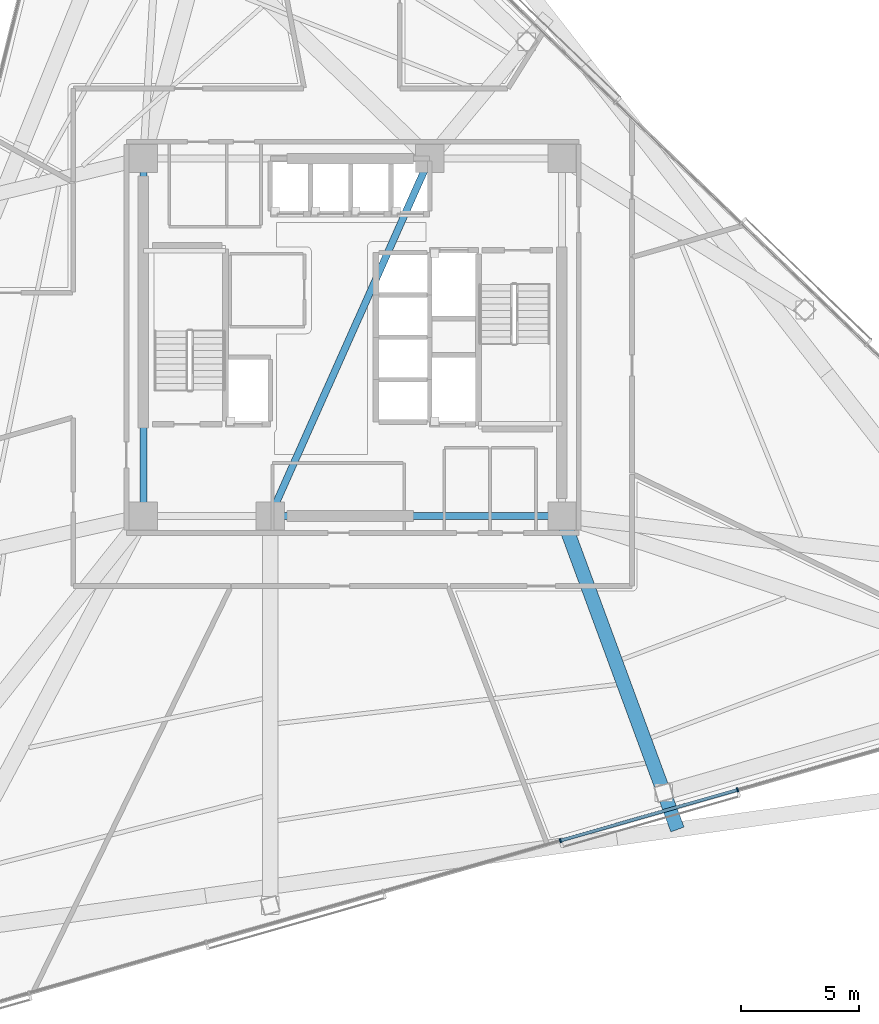
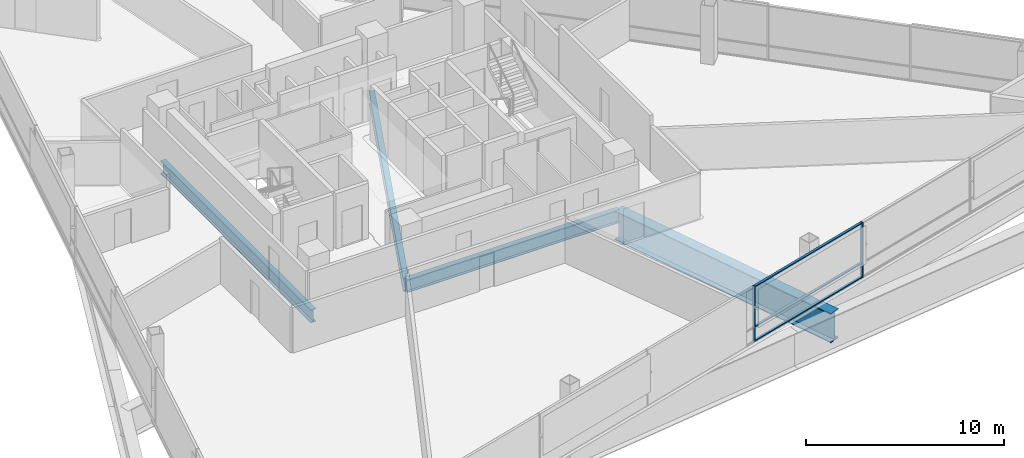
# One storey, part 5 of 21: 5 members, 4 beams, 1 element without a shape of its own.
"""IFC4 building model written with IfcOpenShell, lengths in metres."""

from ifc_helpers import new_model, si_unit, direction, frame, origin, origin_2d, place, context, subcontext, project, spatial, rectangle, i_section, extrude, material, layer, layer_set, material_profile, profile_set, type_object, element, aggregate, save


model = new_model("IFC4")

# Units and contexts
model_context = context("Model", 3, precision=1e-05, world=origin(), true_north=direction((0.0, 1.0)))
body_context = subcontext(model_context, "Body", "Model", "MODEL_VIEW")
ifc_project = project(units=[si_unit("LENGTHUNIT", "METRE"), si_unit("AREAUNIT", "SQUARE_METRE"), si_unit("VOLUMEUNIT", "CUBIC_METRE"), si_unit("PLANEANGLEUNIT", "RADIAN"), si_unit("MASSUNIT", "GRAM", prefix="KILO")], contexts=[model_context])

# Site, building, storey
site_placement = place(None, origin())
site = spatial("IfcSite", under=ifc_project, at=site_placement, CompositionType="ELEMENT")
building_placement = place(site_placement, origin())
building = spatial("IfcBuilding", under=site, at=building_placement, Name="Tharavind Bronze Gate", CompositionType="ELEMENT")
storey_placement = place(building_placement, frame((0.0, 0.0, 86.10009765625)))
storey = spatial("IfcBuildingStorey", under=building, at=storey_placement, Name="L21", CompositionType="ELEMENT", Elevation=86.10009765625)

# Curtain wall, members
ifc_material_1 = material(Name="Anodised Bronze Aluminium", Category="aluminium")
ifc_layer = layer(ifc_material_1, 0.219970703125)
ifc_layer_set = layer_set([ifc_layer], Name="Anodised Bronze Aluminium")
curtain_wall_type = type_object("IfcCurtainWallType", Name="UNITISED CURTAIN WALL LOWER OFFICE", PredefinedType="USERDEFINED", material=ifc_layer_set)
curtain_wall_placement = place(storey_placement, origin())
curtain_wall = element("IfcCurtainWall", 1, at=curtain_wall_placement, inside=storey, type_object=curtain_wall_type, Name="L21 unitised curtain wall lower office CW-L21-S2", ObjectType="UNITISED CURTAIN WALL", PredefinedType="USERDEFINED")
member_type_1 = type_object("IfcMemberType", Name="CURTAIN WALL BRONZE MULLION 65X180", PredefinedType="MULLION", material=ifc_material_1)
member_1_placement = place(storey_placement, frame((8.83837890625, -21.406982421875, 0.0), z_axis=(0.0, 0.0, 1.0), x_axis=(0.961261695938, 0.275637355817, 0.0)))
member_1 = element("IfcMember", 2, at=member_1_placement, type_object=member_type_1, Name="CW-L21-S2 mullion 5", PredefinedType="MULLION", context=body_context, shape_type="SweptSolid", body=[
    extrude(rectangle(XDim=0.06494140625, YDim=0.179931640625, at=origin_2d()), origin(), (0.0, 0.0, 1.0), 3.409912109375),
])
member_2_placement = place(storey_placement, frame((16.371826171875, -19.246826171875, 0.0), z_axis=(0.0, 0.0, 1.0), x_axis=(0.961261695938, 0.275637355817, 0.0)))
member_2 = element("IfcMember", 3, at=member_2_placement, type_object=member_type_1, Name="CW-L21-S2 mullion 6", PredefinedType="MULLION", context=body_context, shape_type="SweptSolid", body=[
    extrude(rectangle(XDim=0.06494140625, YDim=0.179931640625, at=origin_2d()), origin(), (0.0, 0.0, 1.0), 3.409912109375),
])
member_type_2 = type_object("IfcMemberType", Name="CURTAIN WALL BRONZE TRANSOM 65X140", PredefinedType="USERDEFINED", material=ifc_material_1)
member_3_placement = place(storey_placement, frame((12.60498046875, -20.326904296875, 0.0), z_axis=(0.0, 0.0, 1.0), x_axis=(0.961261695938, 0.275637355817, 0.0)))
member_3 = element("IfcMember", 4, at=member_3_placement, type_object=member_type_2, Name="CW-L21-S2 transom TB5", ObjectType="TRANSOM", PredefinedType="USERDEFINED", context=body_context, shape_type="SweptSolid", body=[
    extrude(rectangle(XDim=7.7841796875, YDim=0.139892578125, at=origin_2d()), origin(), (0.0, 0.0, 1.0), 0.06494140625),
])
member_4_placement = place(storey_placement, frame((12.60498046875, -20.326904296875, 0.867431640625), z_axis=(0.0, 0.0, 1.0), x_axis=(0.961261695938, 0.275637355817, 0.0)))
member_4 = element("IfcMember", 5, at=member_4_placement, type_object=member_type_2, Name="CW-L21-S2 transom TS5", ObjectType="TRANSOM", PredefinedType="USERDEFINED", context=body_context, shape_type="SweptSolid", body=[
    extrude(rectangle(XDim=7.7841796875, YDim=0.139892578125, at=origin_2d()), origin(), (0.0, 0.0, 1.0), 0.06494140625),
])
member_5_placement = place(storey_placement, frame((12.60498046875, -20.326904296875, 3.344970703125), z_axis=(0.0, 0.0, 1.0), x_axis=(0.961261695938, 0.275637355817, 0.0)))
member_5 = element("IfcMember", 6, at=member_5_placement, type_object=member_type_2, Name="CW-L21-S2 transom TT5", ObjectType="TRANSOM", PredefinedType="USERDEFINED", context=body_context, shape_type="SweptSolid", body=[
    extrude(rectangle(XDim=7.7841796875, YDim=0.139892578125, at=origin_2d()), origin(), (0.0, 0.0, 1.0), 0.06494140625),
])
aggregate(curtain_wall, [member_1, member_2, member_3, member_4, member_5])

# Beams
ifc_material_2 = material(Name="Steel S355", Category="steel")
ifc_material_profile_1 = material_profile(ifc_material_2, i_section(OverallWidth=0.300048828125, OverallDepth=0.800048828125, WebThickness=0.017578125, FlangeThickness=0.032958984375, at=origin_2d()), Name="HE800B")
ifc_profile_set_1 = profile_set([ifc_material_profile_1], Name="Steel S355")
beam_type_1 = type_object("IfcBeamType", Name="RING GIRDER HE800B", PredefinedType="USERDEFINED", material=ifc_profile_set_1)
beam_1_placement = place(storey_placement, frame((-3.5, -7.60009765625, -0.590087890625), z_axis=(1.0, 0.0, 0.0), x_axis=(0.0, 1.0, 0.0)))
element("IfcBeam", 7, at=beam_1_placement, inside=storey, type_object=beam_type_1, Name="L21 ring girder he800b BM-L21-CR2", ObjectType="GIRDER", PredefinedType="USERDEFINED", context=body_context, shape_type="SweptSolid", body=[
    extrude(i_section(OverallWidth=0.300048828125, OverallDepth=0.800048828125, WebThickness=0.017578125, FlangeThickness=0.032958984375, at=origin_2d()), origin(), (0.0, 0.0, 1.0), 12.39990234375),
])
beam_2_placement = place(storey_placement, frame((-8.89990234375, 7.60009765625, -0.590087890625), z_axis=(0.0, -1.0, 0.0), x_axis=(1.0, 0.0, 0.0)))
element("IfcBeam", 8, at=beam_2_placement, inside=storey, type_object=beam_type_1, Name="L21 ring girder he800b BM-L21-CR6", ObjectType="GIRDER", PredefinedType="USERDEFINED", context=body_context, shape_type="SweptSolid", body=[
    extrude(i_section(OverallWidth=0.300048828125, OverallDepth=0.800048828125, WebThickness=0.017578125, FlangeThickness=0.032958984375, at=origin_2d()), origin(), (0.0, 0.0, 1.0), 15.2001953125),
])
beam_3_placement = place(storey_placement, frame((-3.5, -7.60009765625, -0.590087890625), z_axis=(0.407361644566, 0.913266932795, 0.0), x_axis=(-0.913266932795, 0.407361644566, 0.0)))
element("IfcBeam", 9, at=beam_3_placement, inside=storey, type_object=beam_type_1, Name="L21 ring girder he800b BM-L21-CR7", ObjectType="GIRDER", PredefinedType="USERDEFINED", context=body_context, shape_type="SweptSolid", body=[
    extrude(i_section(OverallWidth=0.300048828125, OverallDepth=0.800048828125, WebThickness=0.017578125, FlangeThickness=0.032958984375, at=origin_2d()), origin(), (0.0, 0.0, 1.0), 16.643798828125),
])
ifc_material_3 = material(Name="Steel S460", Category="steel")
ifc_material_profile_2 = material_profile(ifc_material_3, i_section(OverallWidth=0.60009765625, OverallDepth=1.800048828125, WebThickness=0.031982421875, FlangeThickness=0.054931640625, at=origin_2d()), Name="PG1800X600")
ifc_profile_set_2 = profile_set([ifc_material_profile_2], Name="Steel S460")
beam_type_2 = type_object("IfcBeamType", Name="TRANSFER GIRDER 1800X600", PredefinedType="USERDEFINED", material=ifc_profile_set_2)
beam_4_placement = place(storey_placement, frame((8.89990234375, -7.60009765625, -1.090087890625), z_axis=(0.34593701573, -0.938257737057, 0.0), x_axis=(0.938257737057, 0.34593701573, 0.0)))
element("IfcBeam", 10, at=beam_4_placement, inside=storey, type_object=beam_type_2, Name="L21 transfer girder 1800x600 BM-L21-XFR07", ObjectType="TRANSFER GIRDER", PredefinedType="USERDEFINED", context=body_context, shape_type="SweptSolid", body=[
    extrude(i_section(OverallWidth=0.60009765625, OverallDepth=1.800048828125, WebThickness=0.031982421875, FlangeThickness=0.054931640625, at=origin_2d()), origin(), (0.0, 0.0, 1.0), 14.21142578125),
])

save(model, "model.ifc")
